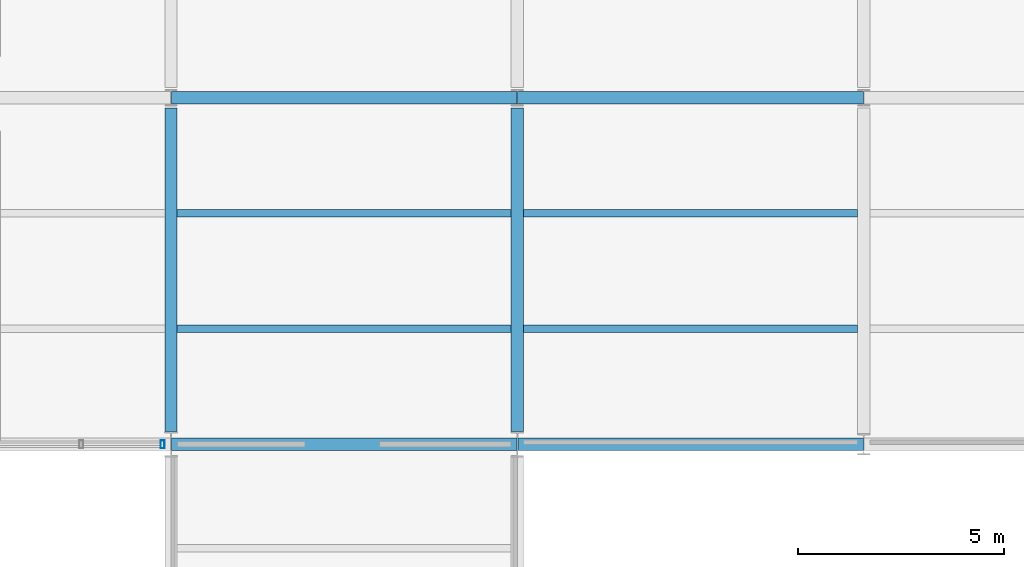
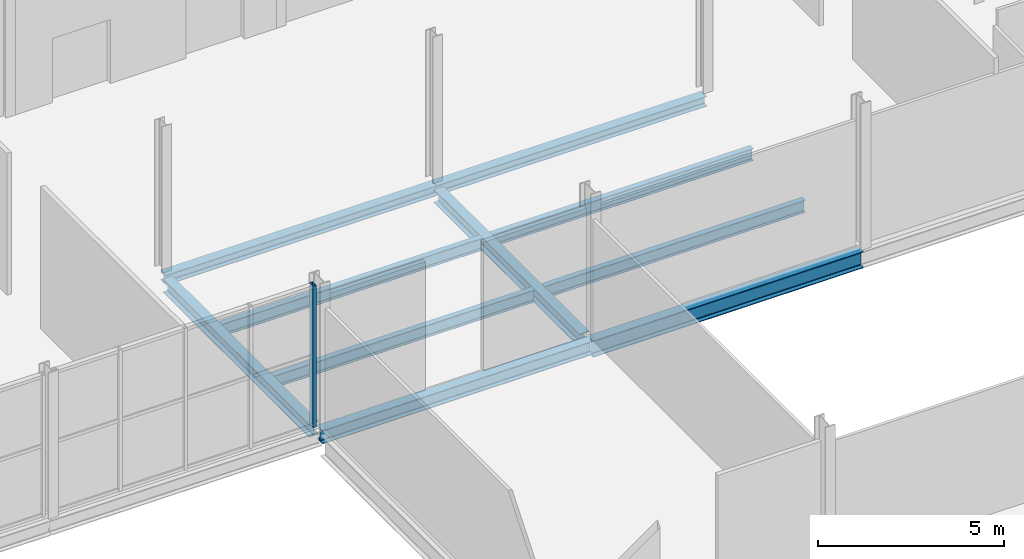
# One storey, part 16 of 52: 10 beams, 1 member, 1 element without a shape of its own.
"""IFC4 building model written with IfcOpenShell, lengths in metres."""

from ifc_helpers import new_model, si_unit, direction, frame, origin, origin_2d, place, context, subcontext, project, spatial, hollow_rectangle, i_section, extrude, material, layer, layer_set, material_profile, profile_set, type_object, element, aggregate, save


model = new_model("IFC4")

# Units and contexts
model_context = context("Model", 3, precision=1e-05, world=origin(), true_north=direction((0.0, 1.0)))
body_context = subcontext(model_context, "Body", "Model", "MODEL_VIEW")
ifc_project = project(units=[si_unit("LENGTHUNIT", "METRE"), si_unit("AREAUNIT", "SQUARE_METRE"), si_unit("VOLUMEUNIT", "CUBIC_METRE"), si_unit("PLANEANGLEUNIT", "RADIAN"), si_unit("MASSUNIT", "GRAM", prefix="KILO")], contexts=[model_context])

# Site, building, storey
site_placement = place(None, origin())
site = spatial("IfcSite", under=ifc_project, at=site_placement, CompositionType="ELEMENT")
building_placement = place(site_placement, origin())
building = spatial("IfcBuilding", under=site, at=building_placement, Name="Galleria Vessillo Department Store", CompositionType="ELEMENT")
storey_placement = place(building_placement, frame((0.0, 0.0, 16.199951171875)))
storey = spatial("IfcBuildingStorey", under=building, at=storey_placement, Name="L03", CompositionType="ELEMENT", Elevation=16.199951171875)

# Beams
ifc_material_1 = material(Name="Steel S355 J2", Category="steel")
ifc_material_profile_1 = material_profile(ifc_material_1, i_section(OverallWidth=0.300048828125, OverallDepth=0.43994140625, WebThickness=0.011474609375, FlangeThickness=0.02099609375, FilletRadius=0.027099609375, at=origin_2d()), Name="HEA 450")
ifc_profile_set_1 = profile_set([ifc_material_profile_1], Name="Steel S355 J2")
beam_type_1 = type_object("IfcBeamType", Name="Bridge girder HEA 450", PredefinedType="BEAM", material=ifc_profile_set_1)
beam_1_placement = place(storey_placement, frame((33.610595703125, 37.800048828125, -0.369873046875), z_axis=(1.0, 0.0, 0.0), x_axis=(0.0, 1.0, 0.0)))
element("IfcBeam", 1, at=beam_1_placement, inside=storey, type_object=beam_type_1, Name="S-BM-L03-BR-x37800-33611", PredefinedType="BEAM", context=body_context, shape_type="SweptSolid", body=[
    extrude(i_section(OverallWidth=0.300048828125, OverallDepth=0.43994140625, WebThickness=0.011474609375, FlangeThickness=0.02099609375, FilletRadius=0.027099609375, at=origin_2d()), origin(), (0.0, 0.0, 1.0), 8.378662109375),
])
ifc_material_2 = material(Name="Steel S355 J2", Category="steel")
ifc_material_profile_2 = material_profile(ifc_material_2, i_section(OverallWidth=0.300048828125, OverallDepth=0.43994140625, WebThickness=0.011474609375, FlangeThickness=0.02099609375, FilletRadius=0.027099609375, at=origin_2d()), Name="HEA 450")
ifc_profile_set_2 = profile_set([ifc_material_profile_2], Name="Steel S355 J2")
beam_type_2 = type_object("IfcBeamType", Name="Floor girder HEA 450", PredefinedType="BEAM", material=ifc_profile_set_2)
for number, where, z_axis, x_axis, name in (
    (2, (33.60009765625, 38.110107421875, -0.369873046875), (0.0, 1.0, 0.0), (-1.0, 0.0, 0.0), "S-BM-L03-GI-y33600-38110"),
    (3, (42.0, 38.110107421875, -0.369873046875), (0.0, 1.0, 0.0), (-1.0, 0.0, 0.0), "S-BM-L03-GI-y42000-38110"),
):
    element("IfcBeam", number, at=place(storey_placement, frame(where, z_axis=z_axis, x_axis=x_axis)), inside=storey, type_object=beam_type_2, Name=name, PredefinedType="BEAM", context=body_context, shape_type="SweptSolid", body=[
        extrude(i_section(OverallWidth=0.300048828125, OverallDepth=0.43994140625, WebThickness=0.011474609375, FlangeThickness=0.02099609375, FilletRadius=0.027099609375, at=origin_2d()), origin(), (0.0, 0.0, 1.0), 7.83984375),
    ])
ifc_material_3 = material(Name="Steel S355 J2", Category="steel")
ifc_material_profile_3 = material_profile(ifc_material_3, i_section(OverallWidth=0.179931640625, OverallDepth=0.39990234375, WebThickness=0.008544921875, FlangeThickness=0.013427734375, FilletRadius=0.02099609375, at=origin_2d()), Name="IPE 400")
ifc_profile_set_3 = profile_set([ifc_material_profile_3], Name="Steel S355 J2")
beam_type_3 = type_object("IfcBeamType", Name="Floor joist IPE 400", PredefinedType="JOIST", material=ifc_profile_set_3)
for number, where, z_axis, x_axis, name in (
    (4, (33.750244140625, 40.60009765625, -0.349853515625), (1.0, 0.0, 0.0), (0.0, 1.0, 0.0), "S-BM-L03-JO-x40600-33750"),
    (5, (33.750244140625, 43.39990234375, -0.349853515625), (1.0, 0.0, 0.0), (0.0, 1.0, 0.0), "S-BM-L03-JO-x43400-33750"),
    (6, (42.150146484375, 40.60009765625, -0.349853515625), (1.0, 0.0, 0.0), (0.0, 1.0, 0.0), "S-BM-L03-JO-x40600-42150"),
    (7, (42.150146484375, 43.39990234375, -0.349853515625), (1.0, 0.0, 0.0), (0.0, 1.0, 0.0), "S-BM-L03-JO-x43400-42150"),
):
    element("IfcBeam", number, at=place(storey_placement, frame(where, z_axis=z_axis, x_axis=x_axis)), inside=storey, type_object=beam_type_3, Name=name, PredefinedType="JOIST", context=body_context, shape_type="SweptSolid", body=[
        extrude(i_section(OverallWidth=0.179931640625, OverallDepth=0.39990234375, WebThickness=0.008544921875, FlangeThickness=0.013427734375, FilletRadius=0.02099609375, at=origin_2d()), origin(), (0.0, 0.0, 1.0), 8.099609375),
    ])
ifc_material_4 = material(Name="Steel S355 J2", Category="steel")
ifc_material_profile_4 = material_profile(ifc_material_4, i_section(OverallWidth=0.300048828125, OverallDepth=0.330078125, WebThickness=0.009521484375, FlangeThickness=0.0166015625, FilletRadius=0.027099609375, at=origin_2d()), Name="HEA 340")
ifc_profile_set_4 = profile_set([ifc_material_profile_4], Name="Steel S355 J2")
beam_type_4 = type_object("IfcBeamType", Name="Floor tie girder HEA 340", PredefinedType="BEAM", material=ifc_profile_set_4)
for number, where, z_axis, x_axis, name in (
    (8, (33.607421875, 46.199951171875, -0.31494140625), (1.0, 0.0, 0.0), (0.0, 1.0, 0.0), "S-BM-L03-TI-x46200-33607"),
    (9, (42.00732421875, 46.199951171875, -0.31494140625), (1.0, 0.0, 0.0), (0.0, 1.0, 0.0), "S-BM-L03-TI-x46200-42007"),
):
    element("IfcBeam", number, at=place(storey_placement, frame(where, z_axis=z_axis, x_axis=x_axis)), inside=storey, type_object=beam_type_4, Name=name, PredefinedType="BEAM", context=body_context, shape_type="SweptSolid", body=[
        extrude(i_section(OverallWidth=0.300048828125, OverallDepth=0.330078125, WebThickness=0.009521484375, FlangeThickness=0.0166015625, FilletRadius=0.027099609375, at=origin_2d()), origin(), (0.0, 0.0, 1.0), 8.38525390625),
    ])

# Curtain wall, member
ifc_material_5 = material(Name="Steel and fire-resisting glass curtain wall", Category="steel")
ifc_layer = layer(ifc_material_5, 0.199951171875)
ifc_layer_set = layer_set([ifc_layer], Name="Steel and fire-resisting glass curtain wall")
curtain_wall_type = type_object("IfcCurtainWallType", Name="Arcade fire-resisting glazed shopfront EI 120-Sa", PredefinedType="NOTDEFINED", material=ifc_layer_set)
curtain_wall_placement = place(storey_placement, origin())
curtain_wall = element("IfcCurtainWall", 10, at=curtain_wall_placement, inside=storey, type_object=curtain_wall_type, Name="Arcade fire-resisting glazed shopfront EI 120-Sa AI-AW-N-L03-02", PredefinedType="NOTDEFINED")
ifc_material_6 = material(Name="Steel S355 J2", Category="steel")
ifc_material_profile_5 = material_profile(ifc_material_6, hollow_rectangle(XDim=0.199951171875, YDim=0.10009765625, WallThickness=0.008056640625, at=origin_2d()), Name="RHS 200x100x8")
ifc_profile_set_5 = profile_set([ifc_material_profile_5], Name="Steel S355 J2")
member_type = type_object("IfcMemberType", Name="Steel mullion RHS 200x100x8", PredefinedType="MULLION", material=ifc_profile_set_5)
member_placement = place(storey_placement, frame((33.3974609375, 37.800048828125, 0.0), z_axis=(0.0, 0.0, 1.0), x_axis=(0.0, 1.0, 0.0)))
member = element("IfcMember", 11, at=member_placement, type_object=member_type, Name="CW7 mullion 5", PredefinedType="MULLION", context=body_context, shape_type="SweptSolid", body=[
    extrude(hollow_rectangle(XDim=0.199951171875, YDim=0.10009765625, WallThickness=0.008056640625, at=origin_2d()), origin(), (0.0, 0.0, 1.0), 4.650146484375),
])
aggregate(curtain_wall, [member])

# Beam
ifc_material_7 = material(Name="Steel S355 J2", Category="steel")
ifc_material_profile_6 = material_profile(ifc_material_7, i_section(OverallWidth=0.300048828125, OverallDepth=0.5400390625, WebThickness=0.012451171875, FlangeThickness=0.02392578125, FilletRadius=0.027099609375, at=origin_2d()), Name="HEA 550")
ifc_profile_set_6 = profile_set([ifc_material_profile_6], Name="Steel S355 J2")
beam_type_5 = type_object("IfcBeamType", Name="Trimmer beam HEA 550", PredefinedType="BEAM", material=ifc_profile_set_6)
beam_2_placement = place(storey_placement, frame((42.0107421875, 37.800048828125, -0.419921875), z_axis=(1.0, 0.0, 0.0), x_axis=(0.0, 1.0, 0.0)))
element("IfcBeam", 12, at=beam_2_placement, inside=storey, type_object=beam_type_5, Name="S-BM-L03-TR-x37800-42011", PredefinedType="BEAM", context=body_context, shape_type="SweptSolid", body=[
    extrude(i_section(OverallWidth=0.300048828125, OverallDepth=0.5400390625, WebThickness=0.012451171875, FlangeThickness=0.02392578125, FilletRadius=0.027099609375, at=origin_2d()), origin(), (0.0, 0.0, 1.0), 8.378662109375),
])

save(model, "model.ifc")
